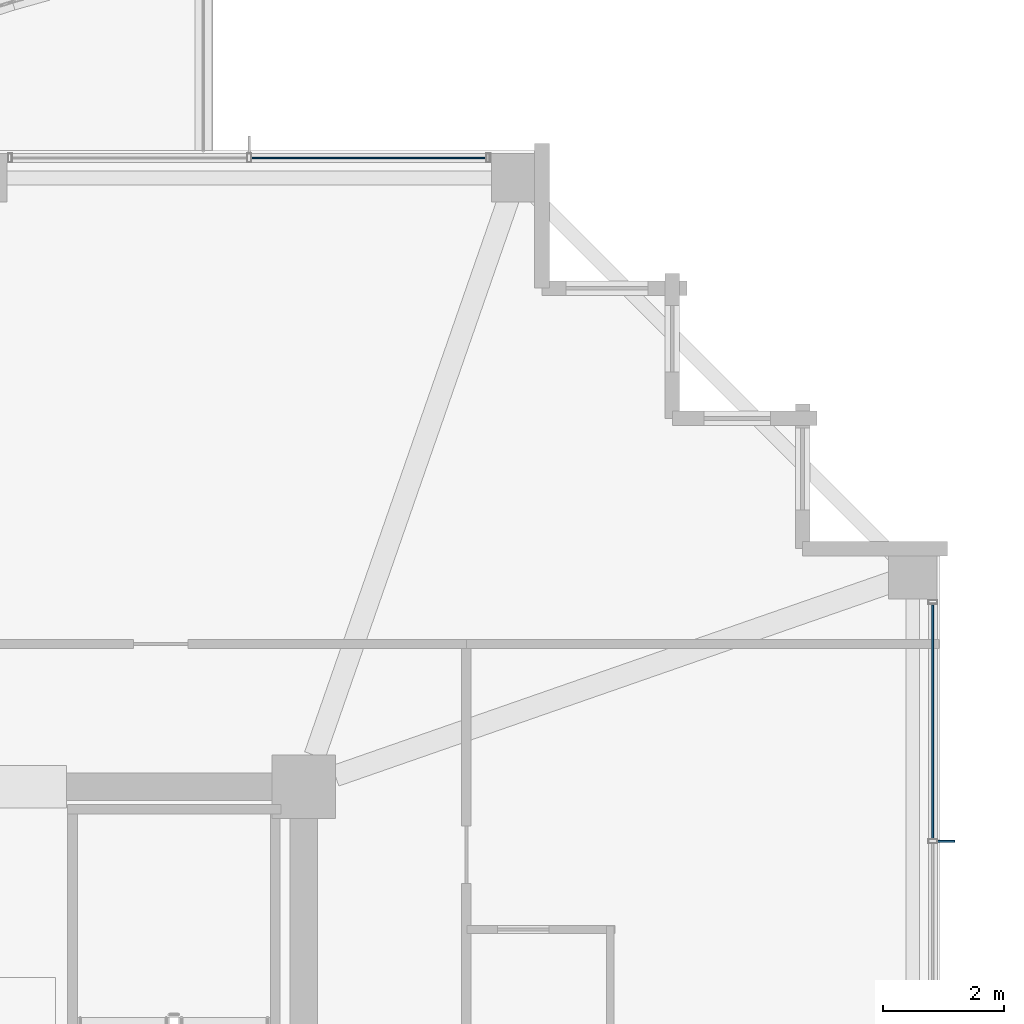
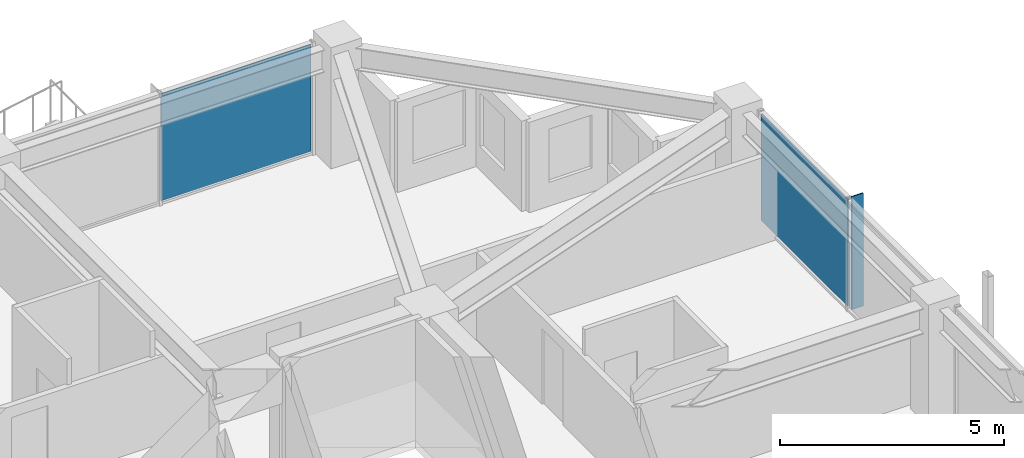
# One storey, part 30 of 38: 3 plates, 2 elements without a shape of their own.
"""IFC4 building model written with IfcOpenShell, lengths in metres."""

from ifc_helpers import new_model, si_unit, direction, frame, origin, origin_2d, place, context, subcontext, project, spatial, rectangle, extrude, material, layer, layer_set, type_object, element, aggregate, save


model = new_model("IFC4")

# Units and contexts
model_context = context("Model", 3, precision=1e-05, world=origin(), true_north=direction((0.0, 1.0)))
body_context = subcontext(model_context, "Body", "Model", "MODEL_VIEW")
ifc_project = project(units=[si_unit("LENGTHUNIT", "METRE"), si_unit("AREAUNIT", "SQUARE_METRE"), si_unit("VOLUMEUNIT", "CUBIC_METRE"), si_unit("PLANEANGLEUNIT", "RADIAN"), si_unit("MASSUNIT", "GRAM", prefix="KILO")], contexts=[model_context])

# Site, building, storey
site_placement = place(None, origin())
site = spatial("IfcSite", under=ifc_project, at=site_placement, CompositionType="ELEMENT")
building_placement = place(site_placement, origin())
building = spatial("IfcBuilding", under=site, at=building_placement, Name="Kolvaren Belvedere", CompositionType="ELEMENT")
storey_placement = place(building_placement, frame((0.0, 0.0, 213.0)))
storey = spatial("IfcBuildingStorey", under=building, at=storey_placement, Name="L62", CompositionType="ELEMENT", Elevation=213.0)

# Curtain wall, plate
ifc_material_1 = material(Name="Anodised pale-metal aluminium AA 6063-T6", Category="aluminium")
curtain_wall_type = type_object("IfcCurtainWallType", Name="CW-Z5-HIGH", PredefinedType="NOTDEFINED", material=ifc_material_1)
curtain_wall_1_placement = place(storey_placement, origin())
curtain_wall_1 = element("IfcCurtainWall", 1, at=curtain_wall_1_placement, inside=storey, type_object=curtain_wall_type, Name="L62 Unitised Curtain Wall FCW-L62-E-B1", PredefinedType="NOTDEFINED")
ifc_material_2 = material(Name="Low-iron triple insulated glass", Category="glass")
ifc_layer_1 = layer(ifc_material_2, 0.028076171875)
ifc_layer_set_1 = layer_set([ifc_layer_1], Name="Low-iron triple insulated glass")
plate_type_1 = type_object("IfcPlateType", Name="CW-PNL-VIS28", PredefinedType="CURTAIN_PANEL", material=ifc_layer_set_1)
plate_1_placement = place(storey_placement, frame((20.280029296875, 10.972412109375, 0.080078125), z_axis=(0.0, 0.0, 1.0), x_axis=(0.0, -1.0, 0.0)))
plate_1 = element("IfcPlate", 2, at=plate_1_placement, type_object=plate_type_1, Name="FCW-L62-E-B1 Vision Glazing Panel 1", PredefinedType="CURTAIN_PANEL", context=body_context, shape_type="SweptSolid", body=[
    extrude(rectangle(XDim=3.864990234375, YDim=0.028076171875, at=origin_2d()), origin(), (0.0, 0.0, 1.0), 2.919921875),
])
aggregate(curtain_wall_1, [plate_1])

curtain_wall_2_placement = place(storey_placement, origin())
curtain_wall_2 = element("IfcCurtainWall", 3, at=curtain_wall_2_placement, inside=storey, type_object=curtain_wall_type, Name="L62 Unitised Curtain Wall FCW-L62-N2-B2", PredefinedType="NOTDEFINED")
plate_2_placement = place(storey_placement, frame((10.972412109375, 20.280029296875, 0.080078125), z_axis=(0.0, 0.0, 1.0), x_axis=(1.0, 0.0, 0.0)))
plate_2 = element("IfcPlate", 4, at=plate_2_placement, type_object=plate_type_1, Name="FCW-L62-N2-B2 Vision Glazing Panel 2", PredefinedType="CURTAIN_PANEL", context=body_context, shape_type="SweptSolid", body=[
    extrude(rectangle(XDim=3.864990234375, YDim=0.028076171875, at=origin_2d()), origin(), (0.0, 0.0, 1.0), 2.919921875),
])
aggregate(curtain_wall_2, [plate_2])

# Plate
ifc_material_3 = material(Name="Anodised pale-metal aluminium AA 6063-T6", Category="aluminium")
ifc_layer_2 = layer(ifc_material_3, 0.030029296875)
ifc_layer_set_2 = layer_set([ifc_layer_2], Name="Anodised pale-metal aluminium AA 6063-T6")
plate_type_2 = type_object("IfcPlateType", Name="FIN-VERT-300", PredefinedType="USERDEFINED", material=ifc_layer_set_2)
plate_3_placement = place(storey_placement, frame((20.489990234375, 9.0, 0.0), z_axis=(0.0, 0.0, 1.0), x_axis=(1.0, 0.0, 0.0)))
element("IfcPlate", 5, at=plate_3_placement, inside=storey, type_object=plate_type_2, Name="L62 Pale-Metal Vertical Shading Fin FCW-L62-E-B1-1", ObjectType="VERTICAL FIN", PredefinedType="USERDEFINED", context=body_context, shape_type="SweptSolid", body=[
    extrude(rectangle(XDim=0.300048828125, YDim=0.030029296875, at=origin_2d()), origin(), (0.0, 0.0, 1.0), 3.080078125),
])

save(model, "model.ifc")
